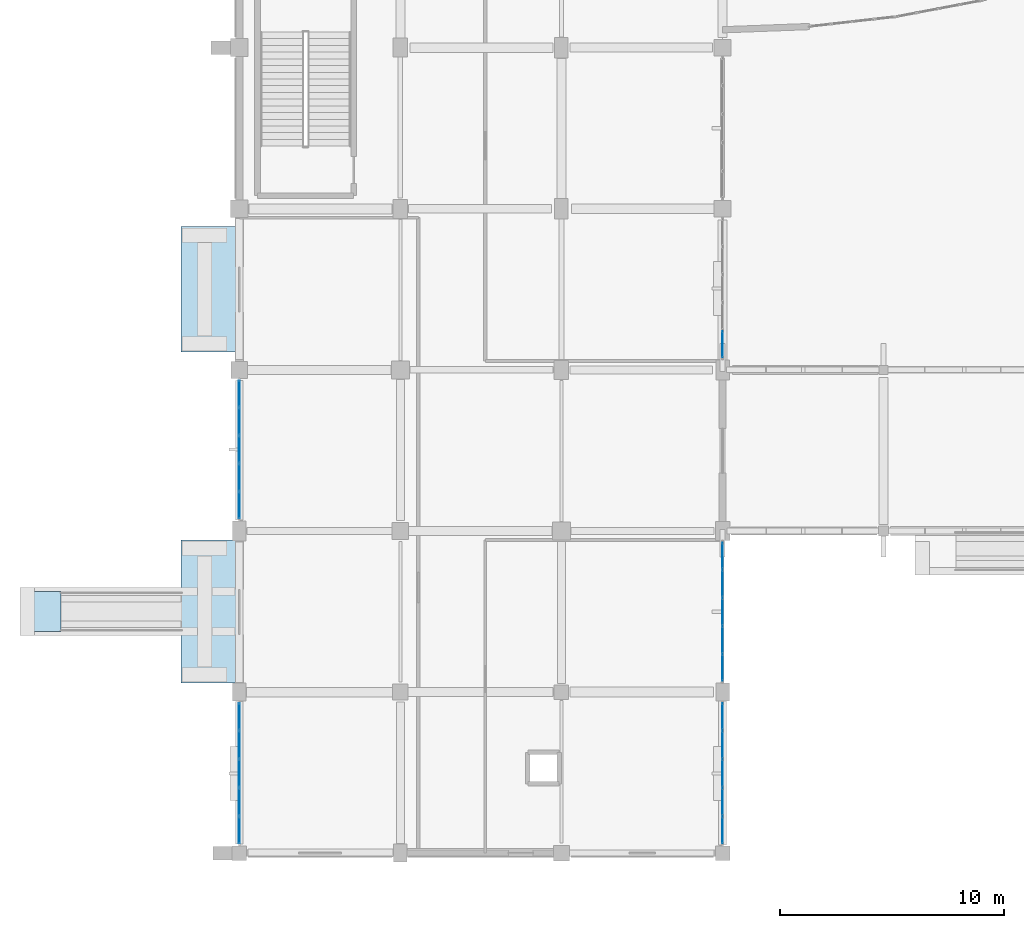
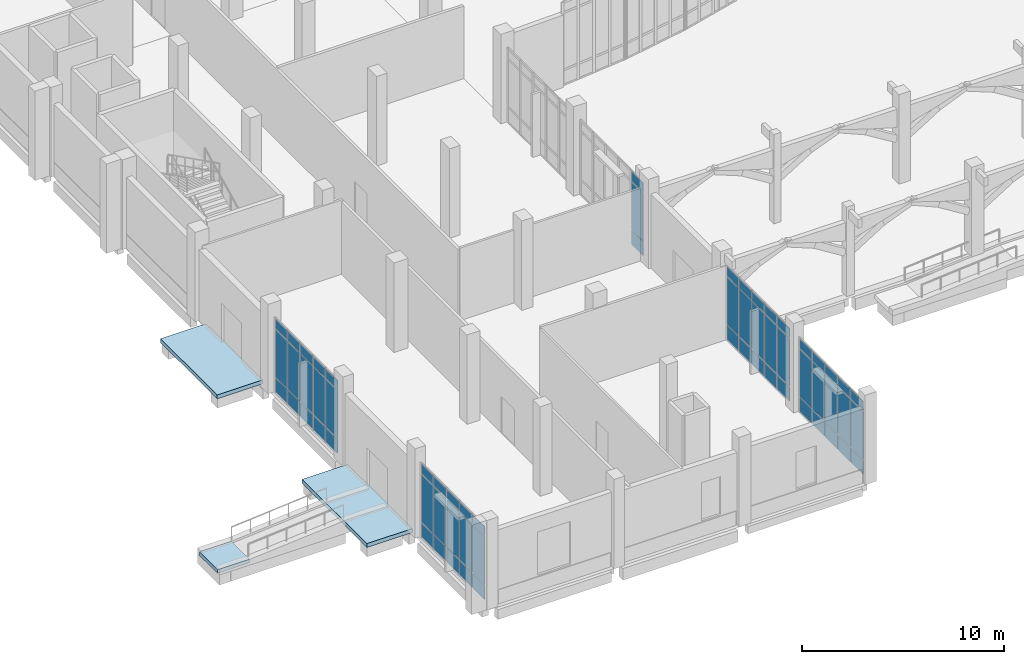
# One storey, part 74 of 110: 63 plates, 3 slabs, 6 elements without a shape of their own.
"""IFC4 building model written with IfcOpenShell, lengths in metres."""

from ifc_helpers import new_model, si_unit, direction, frame, origin, origin_2d, place, context, subcontext, project, spatial, polyline, rectangle, outline, extrude, material, layer, layer_set, type_object, element, aggregate, save


model = new_model("IFC4")

# Units and contexts
model_context = context("Model", 3, precision=1e-05, world=origin(), true_north=direction((0.0, 1.0)))
body_context = subcontext(model_context, "Body", "Model", "MODEL_VIEW")
ifc_project = project(units=[si_unit("LENGTHUNIT", "METRE"), si_unit("AREAUNIT", "SQUARE_METRE"), si_unit("VOLUMEUNIT", "CUBIC_METRE"), si_unit("PLANEANGLEUNIT", "RADIAN"), si_unit("MASSUNIT", "GRAM", prefix="KILO")], contexts=[model_context])

# Site, building, storey
site_placement = place(None, origin())
site = spatial("IfcSite", under=ifc_project, at=site_placement, CompositionType="ELEMENT")
building_placement = place(site_placement, origin())
building = spatial("IfcBuilding", under=site, at=building_placement, Name="Kalluvel Institute of Natural Sciences", CompositionType="ELEMENT")
storey_placement = place(building_placement, origin())
storey = spatial("IfcBuildingStorey", under=building, at=storey_placement, Name="L00", CompositionType="ELEMENT", Elevation=0.0)

# Curtain wall, plates
ifc_material_1 = material(Name="Aluminium AW-6063 T6", Category="aluminium")
curtain_wall_type = type_object("IfcCurtainWallType", Name="CW-DRY-54", PredefinedType="USERDEFINED", material=ifc_material_1)
curtain_wall_1_placement = place(storey_placement, origin())
curtain_wall_1 = element("IfcCurtainWall", 1, at=curtain_wall_1_placement, inside=storey, type_object=curtain_wall_type, Name="L00 Gothic lancet curtain wall CWA-L00-X140-Y144", ObjectType="UNITISED LANCET FACADE", PredefinedType="USERDEFINED")
ifc_material_2 = material(Name="Solar-Control Low-E Laminated Glass", Category="glass")
ifc_layer_1 = layer(ifc_material_2, 0.028076171875)
ifc_layer_set_1 = layer_set([ifc_layer_1], Name="Solar-Control Low-E Laminated Glass")
plate_type = type_object("IfcPlateType", Name="CWP-DGU-28", PredefinedType="CURTAIN_PANEL", material=ifc_layer_set_1)
plate_1_placement = place(storey_placement, frame((14.0, 15.027587890625, 0.06005859375), z_axis=(0.0, 0.0, 1.0), x_axis=(0.0, 1.0, 0.0)))
plate_1 = element("IfcPlate", 2, at=plate_1_placement, type_object=plate_type, Name="CW-04 panel 1.1", PredefinedType="CURTAIN_PANEL", context=body_context, shape_type="SweptSolid", body=[
    extrude(rectangle(XDim=1.18505859375, YDim=0.028076171875, at=origin_2d()), origin(), (0.0, 0.0, 1.0), 0.860107421875),
])
plate_2_placement = place(storey_placement, frame((14.0, 15.027587890625, 0.97998046875), z_axis=(0.0, 0.0, 1.0), x_axis=(0.0, 1.0, 0.0)))
plate_2 = element("IfcPlate", 3, at=plate_2_placement, type_object=plate_type, Name="CW-04 panel 1.2", PredefinedType="CURTAIN_PANEL", context=body_context, shape_type="SweptSolid", body=[
    extrude(rectangle(XDim=1.18505859375, YDim=0.028076171875, at=origin_2d()), origin(), (0.0, 0.0, 1.0), 2.860107421875),
])
plate_3_placement = place(storey_placement, frame((14.0, 15.027587890625, 3.89990234375), z_axis=(0.0, 0.0, 1.0), x_axis=(0.0, 1.0, 0.0)))
plate_3 = element("IfcPlate", 4, at=plate_3_placement, type_object=plate_type, Name="CW-04 panel 1.3", PredefinedType="CURTAIN_PANEL", context=body_context, shape_type="SweptSolid", body=[
    extrude(rectangle(XDim=1.18505859375, YDim=0.028076171875, at=origin_2d()), origin(), (0.0, 0.0, 1.0), 0.56005859375),
])
plate_4_placement = place(storey_placement, frame((14.0, 16.28759765625, 0.06005859375), z_axis=(0.0, 0.0, 1.0), x_axis=(0.0, 1.0, 0.0)))
plate_4 = element("IfcPlate", 5, at=plate_4_placement, type_object=plate_type, Name="CW-04 panel 2.1", PredefinedType="CURTAIN_PANEL", context=body_context, shape_type="SweptSolid", body=[
    extrude(rectangle(XDim=1.215087890625, YDim=0.028076171875, at=origin_2d()), origin(), (0.0, 0.0, 1.0), 0.860107421875),
])
plate_5_placement = place(storey_placement, frame((14.0, 16.28759765625, 0.97998046875), z_axis=(0.0, 0.0, 1.0), x_axis=(0.0, 1.0, 0.0)))
plate_5 = element("IfcPlate", 6, at=plate_5_placement, type_object=plate_type, Name="CW-04 panel 2.2", PredefinedType="CURTAIN_PANEL", context=body_context, shape_type="SweptSolid", body=[
    extrude(rectangle(XDim=1.215087890625, YDim=0.028076171875, at=origin_2d()), origin(), (0.0, 0.0, 1.0), 2.860107421875),
])
plate_6_placement = place(storey_placement, frame((14.0, 16.28759765625, 3.89990234375), z_axis=(0.0, 0.0, 1.0), x_axis=(0.0, 1.0, 0.0)))
plate_6 = element("IfcPlate", 7, at=plate_6_placement, type_object=plate_type, Name="CW-04 panel 2.3", PredefinedType="CURTAIN_PANEL", context=body_context, shape_type="SweptSolid", body=[
    extrude(rectangle(XDim=1.215087890625, YDim=0.028076171875, at=origin_2d()), origin(), (0.0, 0.0, 1.0), 0.56005859375),
])
plate_7_placement = place(storey_placement, frame((14.0, 17.5625, 0.06005859375), z_axis=(0.0, 0.0, 1.0), x_axis=(0.0, 1.0, 0.0)))
plate_7 = element("IfcPlate", 8, at=plate_7_placement, type_object=plate_type, Name="CW-04 panel 3.1", PredefinedType="CURTAIN_PANEL", context=body_context, shape_type="SweptSolid", body=[
    extrude(rectangle(XDim=1.215087890625, YDim=0.028076171875, at=origin_2d()), origin(), (0.0, 0.0, 1.0), 0.860107421875),
])
plate_8_placement = place(storey_placement, frame((14.0, 17.5625, 0.97998046875), z_axis=(0.0, 0.0, 1.0), x_axis=(0.0, 1.0, 0.0)))
plate_8 = element("IfcPlate", 9, at=plate_8_placement, type_object=plate_type, Name="CW-04 panel 3.2", PredefinedType="CURTAIN_PANEL", context=body_context, shape_type="SweptSolid", body=[
    extrude(rectangle(XDim=1.215087890625, YDim=0.028076171875, at=origin_2d()), origin(), (0.0, 0.0, 1.0), 2.860107421875),
])
plate_9_placement = place(storey_placement, frame((14.0, 17.5625, 3.89990234375), z_axis=(0.0, 0.0, 1.0), x_axis=(0.0, 1.0, 0.0)))
plate_9 = element("IfcPlate", 10, at=plate_9_placement, type_object=plate_type, Name="CW-04 panel 3.3", PredefinedType="CURTAIN_PANEL", context=body_context, shape_type="SweptSolid", body=[
    extrude(rectangle(XDim=1.215087890625, YDim=0.028076171875, at=origin_2d()), origin(), (0.0, 0.0, 1.0), 0.56005859375),
])
plate_10_placement = place(storey_placement, frame((14.0, 18.83740234375, 0.06005859375), z_axis=(0.0, 0.0, 1.0), x_axis=(0.0, 1.0, 0.0)))
plate_10 = element("IfcPlate", 11, at=plate_10_placement, type_object=plate_type, Name="CW-04 panel 4.1", PredefinedType="CURTAIN_PANEL", context=body_context, shape_type="SweptSolid", body=[
    extrude(rectangle(XDim=1.215087890625, YDim=0.028076171875, at=origin_2d()), origin(), (0.0, 0.0, 1.0), 0.860107421875),
])
plate_11_placement = place(storey_placement, frame((14.0, 18.83740234375, 0.97998046875), z_axis=(0.0, 0.0, 1.0), x_axis=(0.0, 1.0, 0.0)))
plate_11 = element("IfcPlate", 12, at=plate_11_placement, type_object=plate_type, Name="CW-04 panel 4.2", PredefinedType="CURTAIN_PANEL", context=body_context, shape_type="SweptSolid", body=[
    extrude(rectangle(XDim=1.215087890625, YDim=0.028076171875, at=origin_2d()), origin(), (0.0, 0.0, 1.0), 2.860107421875),
])
plate_12_placement = place(storey_placement, frame((14.0, 18.83740234375, 3.89990234375), z_axis=(0.0, 0.0, 1.0), x_axis=(0.0, 1.0, 0.0)))
plate_12 = element("IfcPlate", 13, at=plate_12_placement, type_object=plate_type, Name="CW-04 panel 4.3", PredefinedType="CURTAIN_PANEL", context=body_context, shape_type="SweptSolid", body=[
    extrude(rectangle(XDim=1.215087890625, YDim=0.028076171875, at=origin_2d()), origin(), (0.0, 0.0, 1.0), 0.56005859375),
])
plate_13_placement = place(storey_placement, frame((14.0, 20.097412109375, 0.06005859375), z_axis=(0.0, 0.0, 1.0), x_axis=(0.0, 1.0, 0.0)))
plate_13 = element("IfcPlate", 14, at=plate_13_placement, type_object=plate_type, Name="CW-04 panel 5.1", PredefinedType="CURTAIN_PANEL", context=body_context, shape_type="SweptSolid", body=[
    extrude(rectangle(XDim=1.18505859375, YDim=0.028076171875, at=origin_2d()), origin(), (0.0, 0.0, 1.0), 0.860107421875),
])
plate_14_placement = place(storey_placement, frame((14.0, 20.097412109375, 0.97998046875), z_axis=(0.0, 0.0, 1.0), x_axis=(0.0, 1.0, 0.0)))
plate_14 = element("IfcPlate", 15, at=plate_14_placement, type_object=plate_type, Name="CW-04 panel 5.2", PredefinedType="CURTAIN_PANEL", context=body_context, shape_type="SweptSolid", body=[
    extrude(rectangle(XDim=1.18505859375, YDim=0.028076171875, at=origin_2d()), origin(), (0.0, 0.0, 1.0), 2.860107421875),
])
plate_15_placement = place(storey_placement, frame((14.0, 20.097412109375, 3.89990234375), z_axis=(0.0, 0.0, 1.0), x_axis=(0.0, 1.0, 0.0)))
plate_15 = element("IfcPlate", 16, at=plate_15_placement, type_object=plate_type, Name="CW-04 panel 5.3", PredefinedType="CURTAIN_PANEL", context=body_context, shape_type="SweptSolid", body=[
    extrude(rectangle(XDim=1.18505859375, YDim=0.028076171875, at=origin_2d()), origin(), (0.0, 0.0, 1.0), 0.56005859375),
])
aggregate(curtain_wall_1, [plate_1, plate_2, plate_3, plate_4, plate_5, plate_6, plate_7, plate_8, plate_9, plate_10, plate_11, plate_12, plate_13, plate_14, plate_15])

curtain_wall_2_placement = place(storey_placement, origin())
curtain_wall_2 = element("IfcCurtainWall", 17, at=curtain_wall_2_placement, inside=storey, type_object=curtain_wall_type, Name="L00 Gothic lancet curtain wall CWA-L00-X140-Y289", ObjectType="UNITISED LANCET FACADE", PredefinedType="USERDEFINED")
plate_16_placement = place(storey_placement, frame((14.0, 29.54248046875, 0.06005859375), z_axis=(0.0, 0.0, 1.0), x_axis=(0.0, 1.0, 0.0)))
plate_16 = element("IfcPlate", 18, at=plate_16_placement, type_object=plate_type, Name="CW-04 panel 1.1", PredefinedType="CURTAIN_PANEL", context=body_context, shape_type="SweptSolid", body=[
    extrude(rectangle(XDim=1.1650390625, YDim=0.028076171875, at=origin_2d()), origin(), (0.0, 0.0, 1.0), 0.860107421875),
])
plate_17_placement = place(storey_placement, frame((14.0, 29.54248046875, 0.97998046875), z_axis=(0.0, 0.0, 1.0), x_axis=(0.0, 1.0, 0.0)))
plate_17 = element("IfcPlate", 19, at=plate_17_placement, type_object=plate_type, Name="CW-04 panel 1.2", PredefinedType="CURTAIN_PANEL", context=body_context, shape_type="SweptSolid", body=[
    extrude(rectangle(XDim=1.1650390625, YDim=0.028076171875, at=origin_2d()), origin(), (0.0, 0.0, 1.0), 2.860107421875),
])
plate_18_placement = place(storey_placement, frame((14.0, 29.54248046875, 3.89990234375), z_axis=(0.0, 0.0, 1.0), x_axis=(0.0, 1.0, 0.0)))
plate_18 = element("IfcPlate", 20, at=plate_18_placement, type_object=plate_type, Name="CW-04 panel 1.3", PredefinedType="CURTAIN_PANEL", context=body_context, shape_type="SweptSolid", body=[
    extrude(rectangle(XDim=1.1650390625, YDim=0.028076171875, at=origin_2d()), origin(), (0.0, 0.0, 1.0), 0.56005859375),
])
plate_19_placement = place(storey_placement, frame((14.0, 30.782470703125, 0.06005859375), z_axis=(0.0, 0.0, 1.0), x_axis=(0.0, 1.0, 0.0)))
plate_19 = element("IfcPlate", 21, at=plate_19_placement, type_object=plate_type, Name="CW-04 panel 2.1", PredefinedType="CURTAIN_PANEL", context=body_context, shape_type="SweptSolid", body=[
    extrude(rectangle(XDim=1.195068359375, YDim=0.028076171875, at=origin_2d()), origin(), (0.0, 0.0, 1.0), 0.860107421875),
])
plate_20_placement = place(storey_placement, frame((14.0, 30.782470703125, 0.97998046875), z_axis=(0.0, 0.0, 1.0), x_axis=(0.0, 1.0, 0.0)))
plate_20 = element("IfcPlate", 22, at=plate_20_placement, type_object=plate_type, Name="CW-04 panel 2.2", PredefinedType="CURTAIN_PANEL", context=body_context, shape_type="SweptSolid", body=[
    extrude(rectangle(XDim=1.195068359375, YDim=0.028076171875, at=origin_2d()), origin(), (0.0, 0.0, 1.0), 2.860107421875),
])
plate_21_placement = place(storey_placement, frame((14.0, 30.782470703125, 3.89990234375), z_axis=(0.0, 0.0, 1.0), x_axis=(0.0, 1.0, 0.0)))
plate_21 = element("IfcPlate", 23, at=plate_21_placement, type_object=plate_type, Name="CW-04 panel 2.3", PredefinedType="CURTAIN_PANEL", context=body_context, shape_type="SweptSolid", body=[
    extrude(rectangle(XDim=1.195068359375, YDim=0.028076171875, at=origin_2d()), origin(), (0.0, 0.0, 1.0), 0.56005859375),
])
plate_22_placement = place(storey_placement, frame((14.0, 32.03759765625, 0.06005859375), z_axis=(0.0, 0.0, 1.0), x_axis=(0.0, 1.0, 0.0)))
plate_22 = element("IfcPlate", 24, at=plate_22_placement, type_object=plate_type, Name="CW-04 panel 3.1", PredefinedType="CURTAIN_PANEL", context=body_context, shape_type="SweptSolid", body=[
    extrude(rectangle(XDim=1.195068359375, YDim=0.028076171875, at=origin_2d()), origin(), (0.0, 0.0, 1.0), 0.860107421875),
])
plate_23_placement = place(storey_placement, frame((14.0, 32.03759765625, 0.97998046875), z_axis=(0.0, 0.0, 1.0), x_axis=(0.0, 1.0, 0.0)))
plate_23 = element("IfcPlate", 25, at=plate_23_placement, type_object=plate_type, Name="CW-04 panel 3.2", PredefinedType="CURTAIN_PANEL", context=body_context, shape_type="SweptSolid", body=[
    extrude(rectangle(XDim=1.195068359375, YDim=0.028076171875, at=origin_2d()), origin(), (0.0, 0.0, 1.0), 2.860107421875),
])
plate_24_placement = place(storey_placement, frame((14.0, 32.03759765625, 3.89990234375), z_axis=(0.0, 0.0, 1.0), x_axis=(0.0, 1.0, 0.0)))
plate_24 = element("IfcPlate", 26, at=plate_24_placement, type_object=plate_type, Name="CW-04 panel 3.3", PredefinedType="CURTAIN_PANEL", context=body_context, shape_type="SweptSolid", body=[
    extrude(rectangle(XDim=1.195068359375, YDim=0.028076171875, at=origin_2d()), origin(), (0.0, 0.0, 1.0), 0.56005859375),
])
plate_25_placement = place(storey_placement, frame((14.0, 33.29248046875, 0.06005859375), z_axis=(0.0, 0.0, 1.0), x_axis=(0.0, 1.0, 0.0)))
plate_25 = element("IfcPlate", 27, at=plate_25_placement, type_object=plate_type, Name="CW-04 panel 4.1", PredefinedType="CURTAIN_PANEL", context=body_context, shape_type="SweptSolid", body=[
    extrude(rectangle(XDim=1.195068359375, YDim=0.028076171875, at=origin_2d()), origin(), (0.0, 0.0, 1.0), 0.860107421875),
])
plate_26_placement = place(storey_placement, frame((14.0, 33.29248046875, 0.97998046875), z_axis=(0.0, 0.0, 1.0), x_axis=(0.0, 1.0, 0.0)))
plate_26 = element("IfcPlate", 28, at=plate_26_placement, type_object=plate_type, Name="CW-04 panel 4.2", PredefinedType="CURTAIN_PANEL", context=body_context, shape_type="SweptSolid", body=[
    extrude(rectangle(XDim=1.195068359375, YDim=0.028076171875, at=origin_2d()), origin(), (0.0, 0.0, 1.0), 2.860107421875),
])
plate_27_placement = place(storey_placement, frame((14.0, 33.29248046875, 3.89990234375), z_axis=(0.0, 0.0, 1.0), x_axis=(0.0, 1.0, 0.0)))
plate_27 = element("IfcPlate", 29, at=plate_27_placement, type_object=plate_type, Name="CW-04 panel 4.3", PredefinedType="CURTAIN_PANEL", context=body_context, shape_type="SweptSolid", body=[
    extrude(rectangle(XDim=1.195068359375, YDim=0.028076171875, at=origin_2d()), origin(), (0.0, 0.0, 1.0), 0.56005859375),
])
plate_28_placement = place(storey_placement, frame((14.0, 34.532470703125, 0.06005859375), z_axis=(0.0, 0.0, 1.0), x_axis=(0.0, 1.0, 0.0)))
plate_28 = element("IfcPlate", 30, at=plate_28_placement, type_object=plate_type, Name="CW-04 panel 5.1", PredefinedType="CURTAIN_PANEL", context=body_context, shape_type="SweptSolid", body=[
    extrude(rectangle(XDim=1.1650390625, YDim=0.028076171875, at=origin_2d()), origin(), (0.0, 0.0, 1.0), 0.860107421875),
])
plate_29_placement = place(storey_placement, frame((14.0, 34.532470703125, 0.97998046875), z_axis=(0.0, 0.0, 1.0), x_axis=(0.0, 1.0, 0.0)))
plate_29 = element("IfcPlate", 31, at=plate_29_placement, type_object=plate_type, Name="CW-04 panel 5.2", PredefinedType="CURTAIN_PANEL", context=body_context, shape_type="SweptSolid", body=[
    extrude(rectangle(XDim=1.1650390625, YDim=0.028076171875, at=origin_2d()), origin(), (0.0, 0.0, 1.0), 2.860107421875),
])
plate_30_placement = place(storey_placement, frame((14.0, 34.532470703125, 3.89990234375), z_axis=(0.0, 0.0, 1.0), x_axis=(0.0, 1.0, 0.0)))
plate_30 = element("IfcPlate", 32, at=plate_30_placement, type_object=plate_type, Name="CW-04 panel 5.3", PredefinedType="CURTAIN_PANEL", context=body_context, shape_type="SweptSolid", body=[
    extrude(rectangle(XDim=1.1650390625, YDim=0.028076171875, at=origin_2d()), origin(), (0.0, 0.0, 1.0), 0.56005859375),
])
aggregate(curtain_wall_2, [plate_16, plate_17, plate_18, plate_19, plate_20, plate_21, plate_22, plate_23, plate_24, plate_25, plate_26, plate_27, plate_28, plate_29, plate_30])

curtain_wall_3_placement = place(storey_placement, origin())
curtain_wall_3 = element("IfcCurtainWall", 33, at=curtain_wall_3_placement, inside=storey, type_object=curtain_wall_type, Name="L00 Gothic lancet curtain wall CWA-L00-X356-Y144", ObjectType="UNITISED LANCET FACADE", PredefinedType="USERDEFINED")
plate_31_placement = place(storey_placement, frame((35.60009765625, 15.027587890625, 0.06005859375), z_axis=(0.0, 0.0, 1.0), x_axis=(0.0, 1.0, 0.0)))
plate_31 = element("IfcPlate", 34, at=plate_31_placement, type_object=plate_type, Name="CW-04 panel 1.1", PredefinedType="CURTAIN_PANEL", context=body_context, shape_type="SweptSolid", body=[
    extrude(rectangle(XDim=1.18505859375, YDim=0.028076171875, at=origin_2d()), origin(), (0.0, 0.0, 1.0), 0.860107421875),
])
plate_32_placement = place(storey_placement, frame((35.60009765625, 15.027587890625, 0.97998046875), z_axis=(0.0, 0.0, 1.0), x_axis=(0.0, 1.0, 0.0)))
plate_32 = element("IfcPlate", 35, at=plate_32_placement, type_object=plate_type, Name="CW-04 panel 1.2", PredefinedType="CURTAIN_PANEL", context=body_context, shape_type="SweptSolid", body=[
    extrude(rectangle(XDim=1.18505859375, YDim=0.028076171875, at=origin_2d()), origin(), (0.0, 0.0, 1.0), 2.860107421875),
])
plate_33_placement = place(storey_placement, frame((35.60009765625, 15.027587890625, 3.89990234375), z_axis=(0.0, 0.0, 1.0), x_axis=(0.0, 1.0, 0.0)))
plate_33 = element("IfcPlate", 36, at=plate_33_placement, type_object=plate_type, Name="CW-04 panel 1.3", PredefinedType="CURTAIN_PANEL", context=body_context, shape_type="SweptSolid", body=[
    extrude(rectangle(XDim=1.18505859375, YDim=0.028076171875, at=origin_2d()), origin(), (0.0, 0.0, 1.0), 0.56005859375),
])
plate_34_placement = place(storey_placement, frame((35.60009765625, 16.28759765625, 0.06005859375), z_axis=(0.0, 0.0, 1.0), x_axis=(0.0, 1.0, 0.0)))
plate_34 = element("IfcPlate", 37, at=plate_34_placement, type_object=plate_type, Name="CW-04 panel 2.1", PredefinedType="CURTAIN_PANEL", context=body_context, shape_type="SweptSolid", body=[
    extrude(rectangle(XDim=1.215087890625, YDim=0.028076171875, at=origin_2d()), origin(), (0.0, 0.0, 1.0), 0.860107421875),
])
plate_35_placement = place(storey_placement, frame((35.60009765625, 16.28759765625, 0.97998046875), z_axis=(0.0, 0.0, 1.0), x_axis=(0.0, 1.0, 0.0)))
plate_35 = element("IfcPlate", 38, at=plate_35_placement, type_object=plate_type, Name="CW-04 panel 2.2", PredefinedType="CURTAIN_PANEL", context=body_context, shape_type="SweptSolid", body=[
    extrude(rectangle(XDim=1.215087890625, YDim=0.028076171875, at=origin_2d()), origin(), (0.0, 0.0, 1.0), 2.860107421875),
])
plate_36_placement = place(storey_placement, frame((35.60009765625, 16.28759765625, 3.89990234375), z_axis=(0.0, 0.0, 1.0), x_axis=(0.0, 1.0, 0.0)))
plate_36 = element("IfcPlate", 39, at=plate_36_placement, type_object=plate_type, Name="CW-04 panel 2.3", PredefinedType="CURTAIN_PANEL", context=body_context, shape_type="SweptSolid", body=[
    extrude(rectangle(XDim=1.215087890625, YDim=0.028076171875, at=origin_2d()), origin(), (0.0, 0.0, 1.0), 0.56005859375),
])
plate_37_placement = place(storey_placement, frame((35.60009765625, 17.5625, 0.06005859375), z_axis=(0.0, 0.0, 1.0), x_axis=(0.0, 1.0, 0.0)))
plate_37 = element("IfcPlate", 40, at=plate_37_placement, type_object=plate_type, Name="CW-04 panel 3.1", PredefinedType="CURTAIN_PANEL", context=body_context, shape_type="SweptSolid", body=[
    extrude(rectangle(XDim=1.215087890625, YDim=0.028076171875, at=origin_2d()), origin(), (0.0, 0.0, 1.0), 0.860107421875),
])
plate_38_placement = place(storey_placement, frame((35.60009765625, 17.5625, 0.97998046875), z_axis=(0.0, 0.0, 1.0), x_axis=(0.0, 1.0, 0.0)))
plate_38 = element("IfcPlate", 41, at=plate_38_placement, type_object=plate_type, Name="CW-04 panel 3.2", PredefinedType="CURTAIN_PANEL", context=body_context, shape_type="SweptSolid", body=[
    extrude(rectangle(XDim=1.215087890625, YDim=0.028076171875, at=origin_2d()), origin(), (0.0, 0.0, 1.0), 2.860107421875),
])
plate_39_placement = place(storey_placement, frame((35.60009765625, 17.5625, 3.89990234375), z_axis=(0.0, 0.0, 1.0), x_axis=(0.0, 1.0, 0.0)))
plate_39 = element("IfcPlate", 42, at=plate_39_placement, type_object=plate_type, Name="CW-04 panel 3.3", PredefinedType="CURTAIN_PANEL", context=body_context, shape_type="SweptSolid", body=[
    extrude(rectangle(XDim=1.215087890625, YDim=0.028076171875, at=origin_2d()), origin(), (0.0, 0.0, 1.0), 0.56005859375),
])
plate_40_placement = place(storey_placement, frame((35.60009765625, 18.83740234375, 0.06005859375), z_axis=(0.0, 0.0, 1.0), x_axis=(0.0, 1.0, 0.0)))
plate_40 = element("IfcPlate", 43, at=plate_40_placement, type_object=plate_type, Name="CW-04 panel 4.1", PredefinedType="CURTAIN_PANEL", context=body_context, shape_type="SweptSolid", body=[
    extrude(rectangle(XDim=1.215087890625, YDim=0.028076171875, at=origin_2d()), origin(), (0.0, 0.0, 1.0), 0.860107421875),
])
plate_41_placement = place(storey_placement, frame((35.60009765625, 18.83740234375, 0.97998046875), z_axis=(0.0, 0.0, 1.0), x_axis=(0.0, 1.0, 0.0)))
plate_41 = element("IfcPlate", 44, at=plate_41_placement, type_object=plate_type, Name="CW-04 panel 4.2", PredefinedType="CURTAIN_PANEL", context=body_context, shape_type="SweptSolid", body=[
    extrude(rectangle(XDim=1.215087890625, YDim=0.028076171875, at=origin_2d()), origin(), (0.0, 0.0, 1.0), 2.860107421875),
])
plate_42_placement = place(storey_placement, frame((35.60009765625, 18.83740234375, 3.89990234375), z_axis=(0.0, 0.0, 1.0), x_axis=(0.0, 1.0, 0.0)))
plate_42 = element("IfcPlate", 45, at=plate_42_placement, type_object=plate_type, Name="CW-04 panel 4.3", PredefinedType="CURTAIN_PANEL", context=body_context, shape_type="SweptSolid", body=[
    extrude(rectangle(XDim=1.215087890625, YDim=0.028076171875, at=origin_2d()), origin(), (0.0, 0.0, 1.0), 0.56005859375),
])
plate_43_placement = place(storey_placement, frame((35.60009765625, 20.097412109375, 0.06005859375), z_axis=(0.0, 0.0, 1.0), x_axis=(0.0, 1.0, 0.0)))
plate_43 = element("IfcPlate", 46, at=plate_43_placement, type_object=plate_type, Name="CW-04 panel 5.1", PredefinedType="CURTAIN_PANEL", context=body_context, shape_type="SweptSolid", body=[
    extrude(rectangle(XDim=1.18505859375, YDim=0.028076171875, at=origin_2d()), origin(), (0.0, 0.0, 1.0), 0.860107421875),
])
plate_44_placement = place(storey_placement, frame((35.60009765625, 20.097412109375, 0.97998046875), z_axis=(0.0, 0.0, 1.0), x_axis=(0.0, 1.0, 0.0)))
plate_44 = element("IfcPlate", 47, at=plate_44_placement, type_object=plate_type, Name="CW-04 panel 5.2", PredefinedType="CURTAIN_PANEL", context=body_context, shape_type="SweptSolid", body=[
    extrude(rectangle(XDim=1.18505859375, YDim=0.028076171875, at=origin_2d()), origin(), (0.0, 0.0, 1.0), 2.860107421875),
])
plate_45_placement = place(storey_placement, frame((35.60009765625, 20.097412109375, 3.89990234375), z_axis=(0.0, 0.0, 1.0), x_axis=(0.0, 1.0, 0.0)))
plate_45 = element("IfcPlate", 48, at=plate_45_placement, type_object=plate_type, Name="CW-04 panel 5.3", PredefinedType="CURTAIN_PANEL", context=body_context, shape_type="SweptSolid", body=[
    extrude(rectangle(XDim=1.18505859375, YDim=0.028076171875, at=origin_2d()), origin(), (0.0, 0.0, 1.0), 0.56005859375),
])
aggregate(curtain_wall_3, [plate_31, plate_32, plate_33, plate_34, plate_35, plate_36, plate_37, plate_38, plate_39, plate_40, plate_41, plate_42, plate_43, plate_44, plate_45])

curtain_wall_4_placement = place(storey_placement, origin())
curtain_wall_4 = element("IfcCurtainWall", 49, at=curtain_wall_4_placement, inside=storey, type_object=curtain_wall_type, Name="L00 Gothic lancet curtain wall CWA-L00-X356-Y216", ObjectType="UNITISED LANCET FACADE", PredefinedType="USERDEFINED")
plate_46_placement = place(storey_placement, frame((35.60009765625, 22.29248046875, 0.06005859375), z_axis=(0.0, 0.0, 1.0), x_axis=(0.0, 1.0, 0.0)))
plate_46 = element("IfcPlate", 50, at=plate_46_placement, type_object=plate_type, Name="CW-04 panel 1.1", PredefinedType="CURTAIN_PANEL", context=body_context, shape_type="SweptSolid", body=[
    extrude(rectangle(XDim=1.1650390625, YDim=0.028076171875, at=origin_2d()), origin(), (0.0, 0.0, 1.0), 0.860107421875),
])
plate_47_placement = place(storey_placement, frame((35.60009765625, 22.29248046875, 0.97998046875), z_axis=(0.0, 0.0, 1.0), x_axis=(0.0, 1.0, 0.0)))
plate_47 = element("IfcPlate", 51, at=plate_47_placement, type_object=plate_type, Name="CW-04 panel 1.2", PredefinedType="CURTAIN_PANEL", context=body_context, shape_type="SweptSolid", body=[
    extrude(rectangle(XDim=1.1650390625, YDim=0.028076171875, at=origin_2d()), origin(), (0.0, 0.0, 1.0), 2.860107421875),
])
plate_48_placement = place(storey_placement, frame((35.60009765625, 22.29248046875, 3.89990234375), z_axis=(0.0, 0.0, 1.0), x_axis=(0.0, 1.0, 0.0)))
plate_48 = element("IfcPlate", 52, at=plate_48_placement, type_object=plate_type, Name="CW-04 panel 1.3", PredefinedType="CURTAIN_PANEL", context=body_context, shape_type="SweptSolid", body=[
    extrude(rectangle(XDim=1.1650390625, YDim=0.028076171875, at=origin_2d()), origin(), (0.0, 0.0, 1.0), 0.56005859375),
])
plate_49_placement = place(storey_placement, frame((35.60009765625, 23.532470703125, 0.06005859375), z_axis=(0.0, 0.0, 1.0), x_axis=(0.0, 1.0, 0.0)))
plate_49 = element("IfcPlate", 53, at=plate_49_placement, type_object=plate_type, Name="CW-04 panel 2.1", PredefinedType="CURTAIN_PANEL", context=body_context, shape_type="SweptSolid", body=[
    extrude(rectangle(XDim=1.195068359375, YDim=0.028076171875, at=origin_2d()), origin(), (0.0, 0.0, 1.0), 0.860107421875),
])
plate_50_placement = place(storey_placement, frame((35.60009765625, 23.532470703125, 0.97998046875), z_axis=(0.0, 0.0, 1.0), x_axis=(0.0, 1.0, 0.0)))
plate_50 = element("IfcPlate", 54, at=plate_50_placement, type_object=plate_type, Name="CW-04 panel 2.2", PredefinedType="CURTAIN_PANEL", context=body_context, shape_type="SweptSolid", body=[
    extrude(rectangle(XDim=1.195068359375, YDim=0.028076171875, at=origin_2d()), origin(), (0.0, 0.0, 1.0), 2.860107421875),
])
plate_51_placement = place(storey_placement, frame((35.60009765625, 23.532470703125, 3.89990234375), z_axis=(0.0, 0.0, 1.0), x_axis=(0.0, 1.0, 0.0)))
plate_51 = element("IfcPlate", 55, at=plate_51_placement, type_object=plate_type, Name="CW-04 panel 2.3", PredefinedType="CURTAIN_PANEL", context=body_context, shape_type="SweptSolid", body=[
    extrude(rectangle(XDim=1.195068359375, YDim=0.028076171875, at=origin_2d()), origin(), (0.0, 0.0, 1.0), 0.56005859375),
])
plate_52_placement = place(storey_placement, frame((35.60009765625, 24.78759765625, 0.06005859375), z_axis=(0.0, 0.0, 1.0), x_axis=(0.0, 1.0, 0.0)))
plate_52 = element("IfcPlate", 56, at=plate_52_placement, type_object=plate_type, Name="CW-04 panel 3.1", PredefinedType="CURTAIN_PANEL", context=body_context, shape_type="SweptSolid", body=[
    extrude(rectangle(XDim=1.195068359375, YDim=0.028076171875, at=origin_2d()), origin(), (0.0, 0.0, 1.0), 0.860107421875),
])
plate_53_placement = place(storey_placement, frame((35.60009765625, 24.78759765625, 0.97998046875), z_axis=(0.0, 0.0, 1.0), x_axis=(0.0, 1.0, 0.0)))
plate_53 = element("IfcPlate", 57, at=plate_53_placement, type_object=plate_type, Name="CW-04 panel 3.2", PredefinedType="CURTAIN_PANEL", context=body_context, shape_type="SweptSolid", body=[
    extrude(rectangle(XDim=1.195068359375, YDim=0.028076171875, at=origin_2d()), origin(), (0.0, 0.0, 1.0), 2.860107421875),
])
plate_54_placement = place(storey_placement, frame((35.60009765625, 24.78759765625, 3.89990234375), z_axis=(0.0, 0.0, 1.0), x_axis=(0.0, 1.0, 0.0)))
plate_54 = element("IfcPlate", 58, at=plate_54_placement, type_object=plate_type, Name="CW-04 panel 3.3", PredefinedType="CURTAIN_PANEL", context=body_context, shape_type="SweptSolid", body=[
    extrude(rectangle(XDim=1.195068359375, YDim=0.028076171875, at=origin_2d()), origin(), (0.0, 0.0, 1.0), 0.56005859375),
])
plate_55_placement = place(storey_placement, frame((35.60009765625, 26.04248046875, 0.06005859375), z_axis=(0.0, 0.0, 1.0), x_axis=(0.0, 1.0, 0.0)))
plate_55 = element("IfcPlate", 59, at=plate_55_placement, type_object=plate_type, Name="CW-04 panel 4.1", PredefinedType="CURTAIN_PANEL", context=body_context, shape_type="SweptSolid", body=[
    extrude(rectangle(XDim=1.195068359375, YDim=0.028076171875, at=origin_2d()), origin(), (0.0, 0.0, 1.0), 0.860107421875),
])
plate_56_placement = place(storey_placement, frame((35.60009765625, 26.04248046875, 0.97998046875), z_axis=(0.0, 0.0, 1.0), x_axis=(0.0, 1.0, 0.0)))
plate_56 = element("IfcPlate", 60, at=plate_56_placement, type_object=plate_type, Name="CW-04 panel 4.2", PredefinedType="CURTAIN_PANEL", context=body_context, shape_type="SweptSolid", body=[
    extrude(rectangle(XDim=1.195068359375, YDim=0.028076171875, at=origin_2d()), origin(), (0.0, 0.0, 1.0), 2.860107421875),
])
plate_57_placement = place(storey_placement, frame((35.60009765625, 26.04248046875, 3.89990234375), z_axis=(0.0, 0.0, 1.0), x_axis=(0.0, 1.0, 0.0)))
plate_57 = element("IfcPlate", 61, at=plate_57_placement, type_object=plate_type, Name="CW-04 panel 4.3", PredefinedType="CURTAIN_PANEL", context=body_context, shape_type="SweptSolid", body=[
    extrude(rectangle(XDim=1.195068359375, YDim=0.028076171875, at=origin_2d()), origin(), (0.0, 0.0, 1.0), 0.56005859375),
])
plate_58_placement = place(storey_placement, frame((35.60009765625, 27.282470703125, 0.06005859375), z_axis=(0.0, 0.0, 1.0), x_axis=(0.0, 1.0, 0.0)))
plate_58 = element("IfcPlate", 62, at=plate_58_placement, type_object=plate_type, Name="CW-04 panel 5.1", PredefinedType="CURTAIN_PANEL", context=body_context, shape_type="SweptSolid", body=[
    extrude(rectangle(XDim=1.1650390625, YDim=0.028076171875, at=origin_2d()), origin(), (0.0, 0.0, 1.0), 0.860107421875),
])
plate_59_placement = place(storey_placement, frame((35.60009765625, 27.282470703125, 0.97998046875), z_axis=(0.0, 0.0, 1.0), x_axis=(0.0, 1.0, 0.0)))
plate_59 = element("IfcPlate", 63, at=plate_59_placement, type_object=plate_type, Name="CW-04 panel 5.2", PredefinedType="CURTAIN_PANEL", context=body_context, shape_type="SweptSolid", body=[
    extrude(rectangle(XDim=1.1650390625, YDim=0.028076171875, at=origin_2d()), origin(), (0.0, 0.0, 1.0), 2.860107421875),
])
plate_60_placement = place(storey_placement, frame((35.60009765625, 27.282470703125, 3.89990234375), z_axis=(0.0, 0.0, 1.0), x_axis=(0.0, 1.0, 0.0)))
plate_60 = element("IfcPlate", 64, at=plate_60_placement, type_object=plate_type, Name="CW-04 panel 5.3", PredefinedType="CURTAIN_PANEL", context=body_context, shape_type="SweptSolid", body=[
    extrude(rectangle(XDim=1.1650390625, YDim=0.028076171875, at=origin_2d()), origin(), (0.0, 0.0, 1.0), 0.56005859375),
])
aggregate(curtain_wall_4, [plate_46, plate_47, plate_48, plate_49, plate_50, plate_51, plate_52, plate_53, plate_54, plate_55, plate_56, plate_57, plate_58, plate_59, plate_60])

curtain_wall_5_placement = place(storey_placement, origin())
curtain_wall_5 = element("IfcCurtainWall", 65, at=curtain_wall_5_placement, inside=storey, type_object=curtain_wall_type, Name="L00 Gothic lancet curtain wall CWA-L00-X356-Y361", ObjectType="UNITISED LANCET FACADE", PredefinedType="USERDEFINED")
plate_61_placement = place(storey_placement, frame((35.60009765625, 36.742431640625, 0.06005859375), z_axis=(0.0, 0.0, 1.0), x_axis=(0.0, 1.0, 0.0)))
plate_61 = element("IfcPlate", 66, at=plate_61_placement, type_object=plate_type, Name="CW-04 panel 1.1", PredefinedType="CURTAIN_PANEL", context=body_context, shape_type="SweptSolid", body=[
    extrude(rectangle(XDim=1.1650390625, YDim=0.028076171875, at=origin_2d()), origin(), (0.0, 0.0, 1.0), 0.860107421875),
])
plate_62_placement = place(storey_placement, frame((35.60009765625, 36.742431640625, 0.97998046875), z_axis=(0.0, 0.0, 1.0), x_axis=(0.0, 1.0, 0.0)))
plate_62 = element("IfcPlate", 67, at=plate_62_placement, type_object=plate_type, Name="CW-04 panel 1.2", PredefinedType="CURTAIN_PANEL", context=body_context, shape_type="SweptSolid", body=[
    extrude(rectangle(XDim=1.1650390625, YDim=0.028076171875, at=origin_2d()), origin(), (0.0, 0.0, 1.0), 2.860107421875),
])
plate_63_placement = place(storey_placement, frame((35.60009765625, 36.742431640625, 3.89990234375), z_axis=(0.0, 0.0, 1.0), x_axis=(0.0, 1.0, 0.0)))
plate_63 = element("IfcPlate", 68, at=plate_63_placement, type_object=plate_type, Name="CW-04 panel 1.3", PredefinedType="CURTAIN_PANEL", context=body_context, shape_type="SweptSolid", body=[
    extrude(rectangle(XDim=1.1650390625, YDim=0.028076171875, at=origin_2d()), origin(), (0.0, 0.0, 1.0), 0.56005859375),
])
aggregate(curtain_wall_5, [plate_61, plate_62, plate_63])

# Ramp, slab
ifc_material_3 = material(Name="Concrete M40", Category="concrete")
ramp_type = type_object("IfcRampType", Name="RMP-ACC-180", PredefinedType="STRAIGHT_RUN_RAMP", material=ifc_material_3)
ramp_placement = place(storey_placement, origin())
ramp = element("IfcRamp", 69, at=ramp_placement, inside=storey, type_object=ramp_type, Name="Dry Wing West accessible entrance ramp R5", PredefinedType="STRAIGHT_RUN_RAMP")
ifc_layer_2 = layer(ifc_material_3, 0.219970703125)
ifc_layer_set_2 = layer_set([ifc_layer_2], Name="Concrete M40")
slab_type_1 = type_object("IfcSlabType", Name="RML-ACC-220", PredefinedType="LANDING", material=ifc_layer_set_2)
slab_1_placement = place(storey_placement, frame((0.0, 0.0, -0.669921875)))
slab_1 = element("IfcSlab", 70, at=slab_1_placement, type_object=slab_type_1, Name="Dry Wing West accessible entrance ramp R5 landing 1", PredefinedType="LANDING", context=body_context, shape_type="SweptSolid", body=[
    extrude(outline(polyline([(4.199951171875, 23.89990234375), (6.030029296875, 23.89990234375), (6.030029296875, 25.699951171875), (4.199951171875, 25.699951171875), (4.199951171875, 23.89990234375)])), origin(), (0.0, 0.0, 1.0), 0.219970703125),
])
aggregate(ramp, [slab_1])

# Slabs
ifc_material_4 = material(Name="Sadarahalli Grey Granite Ashlar Concrete M40", Category="masonry")
ifc_layer_3 = layer(ifc_material_4, 0.239990234375)
ifc_layer_set_3 = layer_set([ifc_layer_3], Name="Sadarahalli Grey Granite Ashlar Concrete M40")
slab_type_2 = type_object("IfcSlabType", Name="SLB-APR-240", PredefinedType="FLOOR", material=ifc_layer_set_3)
slab_2_placement = place(storey_placement, frame((0.0, 0.0, -0.239990234375)))
element("IfcSlab", 71, at=slab_2_placement, inside=storey, type_object=slab_type_2, Name="Ground entrance granite threshold apron E4", PredefinedType="FLOOR", context=body_context, shape_type="SweptSolid", body=[
    extrude(outline(polyline([(11.39990234375, 21.60009765625), (14.0, 21.60009765625), (14.0, 28.0), (11.39990234375, 28.0), (11.39990234375, 21.60009765625)])), origin(), (0.0, 0.0, 1.0), 0.239990234375),
])
slab_3_placement = place(storey_placement, frame((0.0, 0.0, -0.239990234375)))
element("IfcSlab", 72, at=slab_3_placement, inside=storey, type_object=slab_type_2, Name="Ground entrance granite threshold apron E3", PredefinedType="FLOOR", context=body_context, shape_type="SweptSolid", body=[
    extrude(outline(polyline([(11.39990234375, 36.39990234375), (14.0, 36.39990234375), (14.0, 42.0), (11.39990234375, 42.0), (11.39990234375, 36.39990234375)])), origin(), (0.0, 0.0, 1.0), 0.239990234375),
])

save(model, "model.ifc")
